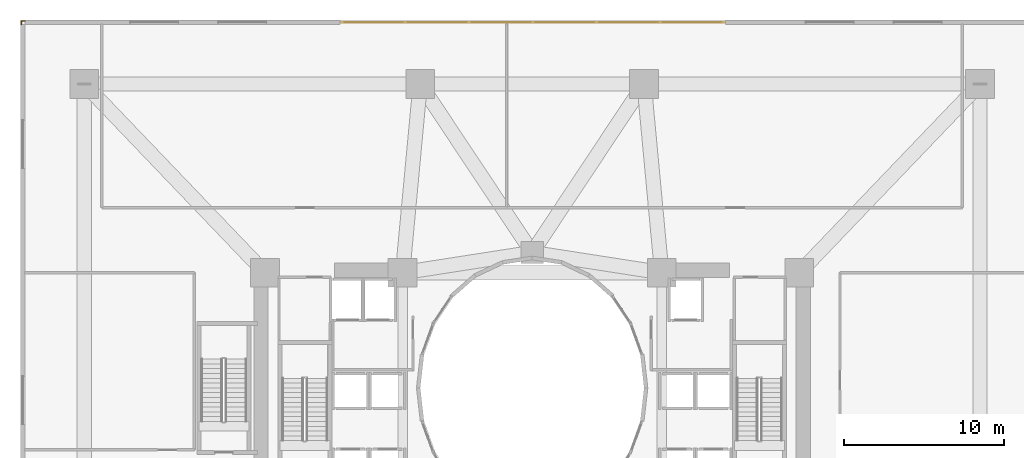
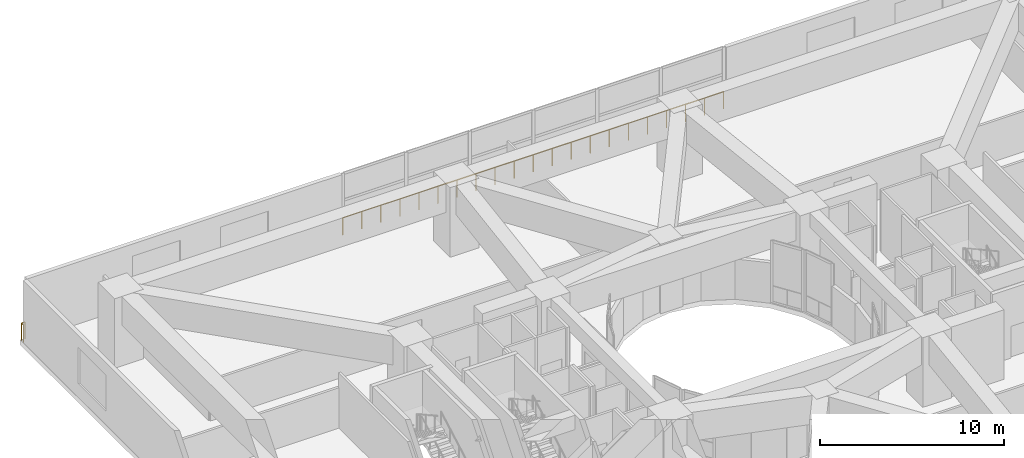
# One storey, part 26 of 27: 2 railings.
"""IFC4 building model written with IfcOpenShell, lengths in metres."""

from ifc_helpers import new_model, si_unit, direction, frame, origin, origin_2d, place, context, subcontext, project, spatial, circle, extrude, material, type_object, element, save


model = new_model("IFC4")

# Units and contexts
model_context = context("Model", 3, precision=1e-05, world=origin(), true_north=direction((0.0, 1.0)))
body_context = subcontext(model_context, "Body", "Model", "MODEL_VIEW")
ifc_project = project(units=[si_unit("LENGTHUNIT", "METRE"), si_unit("AREAUNIT", "SQUARE_METRE"), si_unit("VOLUMEUNIT", "CUBIC_METRE"), si_unit("PLANEANGLEUNIT", "RADIAN"), si_unit("MASSUNIT", "GRAM", prefix="KILO")], contexts=[model_context])

# Site, building, storey
site_placement = place(None, origin())
site = spatial("IfcSite", under=ifc_project, at=site_placement, CompositionType="ELEMENT")
building_placement = place(site_placement, origin())
building = spatial("IfcBuilding", under=site, at=building_placement, Name="Solvane Sanctuary Tower", CompositionType="ELEMENT")
storey_placement = place(building_placement, frame((0.0, 0.0, 23.0)))
storey = spatial("IfcBuildingStorey", under=building, at=storey_placement, Name="L06", CompositionType="ELEMENT", Elevation=23.0)

# Railings
ifc_material = material(Name="Architectural Stainless Steel 316", Category="steel")
railing_type = type_object("IfcRailingType", Name="Railing GR-BALC-1150", PredefinedType="BALUSTRADE", material=ifc_material)
railing_1_placement = place(storey_placement, frame((43.9599609375, 45.85009765625, 0.0)))
element("IfcRailing", 1, at=railing_1_placement, inside=storey, type_object=railing_type, Name="L06 Podium Curtain-Wall Sill Guard N2", PredefinedType="BALUSTRADE", context=body_context, shape_type="SweptSolid", body=[
    extrude(circle(Radius=0.02392578125, at=origin_2d()), frame((0.0, 0.0, 1.1259765625), z_axis=(-1.0, 0.0, 0.0), x_axis=(0.0, -1.0, 0.0)), (0.0, 0.0, 1.0), 23.83984375),
    extrude(circle(Radius=0.02099609375, at=origin_2d()), origin(), (0.0, 0.0, 1.0), 1.101806640625),
    extrude(circle(Radius=0.02099609375, at=origin_2d()), frame((-1.19189453125, 0.0, 0.0)), (0.0, 0.0, 1.0), 1.101806640625),
    extrude(circle(Radius=0.02099609375, at=origin_2d()), frame((-2.384033203125, 0.0, 0.0)), (0.0, 0.0, 1.0), 1.101806640625),
    extrude(circle(Radius=0.02099609375, at=origin_2d()), frame((-3.575927734375, 0.0, 0.0)), (0.0, 0.0, 1.0), 1.101806640625),
    extrude(circle(Radius=0.02099609375, at=origin_2d()), frame((-4.76806640625, 0.0, 0.0)), (0.0, 0.0, 1.0), 1.101806640625),
    extrude(circle(Radius=0.02099609375, at=origin_2d()), frame((-5.9599609375, 0.0, 0.0)), (0.0, 0.0, 1.0), 1.101806640625),
    extrude(circle(Radius=0.02099609375, at=origin_2d()), frame((-7.15185546875, 0.0, 0.0)), (0.0, 0.0, 1.0), 1.101806640625),
    extrude(circle(Radius=0.02099609375, at=origin_2d()), frame((-8.343994140625, 0.0, 0.0)), (0.0, 0.0, 1.0), 1.101806640625),
    extrude(circle(Radius=0.02099609375, at=origin_2d()), frame((-9.535888671875, 0.0, 0.0)), (0.0, 0.0, 1.0), 1.101806640625),
    extrude(circle(Radius=0.02099609375, at=origin_2d()), frame((-10.72802734375, 0.0, 0.0)), (0.0, 0.0, 1.0), 1.101806640625),
    extrude(circle(Radius=0.02099609375, at=origin_2d()), frame((-11.919921875, 0.0, 0.0)), (0.0, 0.0, 1.0), 1.101806640625),
    extrude(circle(Radius=0.02099609375, at=origin_2d()), frame((-13.11181640625, 0.0, 0.0)), (0.0, 0.0, 1.0), 1.101806640625),
    extrude(circle(Radius=0.02099609375, at=origin_2d()), frame((-14.303955078125, 0.0, 0.0)), (0.0, 0.0, 1.0), 1.101806640625),
    extrude(circle(Radius=0.02099609375, at=origin_2d()), frame((-15.495849609375, 0.0, 0.0)), (0.0, 0.0, 1.0), 1.101806640625),
    extrude(circle(Radius=0.02099609375, at=origin_2d()), frame((-16.68798828125, 0.0, 0.0)), (0.0, 0.0, 1.0), 1.101806640625),
    extrude(circle(Radius=0.02099609375, at=origin_2d()), frame((-17.8798828125, 0.0, 0.0)), (0.0, 0.0, 1.0), 1.101806640625),
    extrude(circle(Radius=0.02099609375, at=origin_2d()), frame((-19.07177734375, 0.0, 0.0)), (0.0, 0.0, 1.0), 1.101806640625),
    extrude(circle(Radius=0.02099609375, at=origin_2d()), frame((-20.263916015625, 0.0, 0.0)), (0.0, 0.0, 1.0), 1.101806640625),
    extrude(circle(Radius=0.02099609375, at=origin_2d()), frame((-21.455810546875, 0.0, 0.0)), (0.0, 0.0, 1.0), 1.101806640625),
    extrude(circle(Radius=0.02099609375, at=origin_2d()), frame((-22.64794921875, 0.0, 0.0)), (0.0, 0.0, 1.0), 1.101806640625),
    extrude(circle(Radius=0.02099609375, at=origin_2d()), frame((-23.83984375, 0.0, 0.0)), (0.0, 0.0, 1.0), 1.101806640625),
])
railing_2_placement = place(storey_placement, frame((0.06005859375, 45.719970703125, 0.0)))
element("IfcRailing", 2, at=railing_2_placement, inside=storey, type_object=railing_type, Name="L06 Perimeter Slab Edge Guardrail 02", PredefinedType="BALUSTRADE", context=body_context, shape_type="SweptSolid", body=[
    extrude(circle(Radius=0.02392578125, at=origin_2d()), frame((0.0, 0.0, 1.1259765625), z_axis=(0.0, 1.0, 0.0), x_axis=(-1.0, 0.0, 0.0)), (0.0, 0.0, 1.0), 0.219970703125),
    extrude(circle(Radius=0.02392578125, at=origin_2d()), frame((0.0, 0.219970703125, 1.1259765625), z_axis=(1.0, 0.0, 0.0), x_axis=(0.0, 1.0, 0.0)), (0.0, 0.0, 1.0), 0.219970703125),
    extrude(circle(Radius=0.02099609375, at=origin_2d()), origin(), (0.0, 0.0, 1.0), 1.101806640625),
    extrude(circle(Radius=0.02099609375, at=origin_2d()), frame((0.0, 0.219970703125, 0.0)), (0.0, 0.0, 1.0), 1.101806640625),
    extrude(circle(Radius=0.02099609375, at=origin_2d()), frame((0.219970703125, 0.219970703125, 0.0)), (0.0, 0.0, 1.0), 1.101806640625),
])

save(model, "model.ifc")
